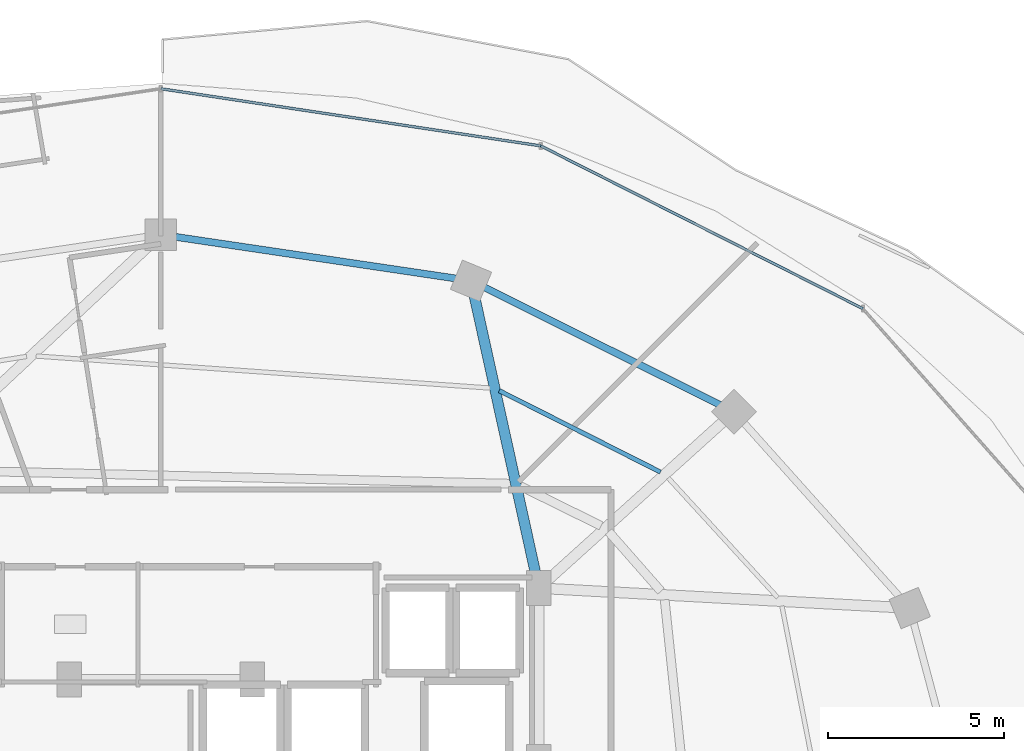
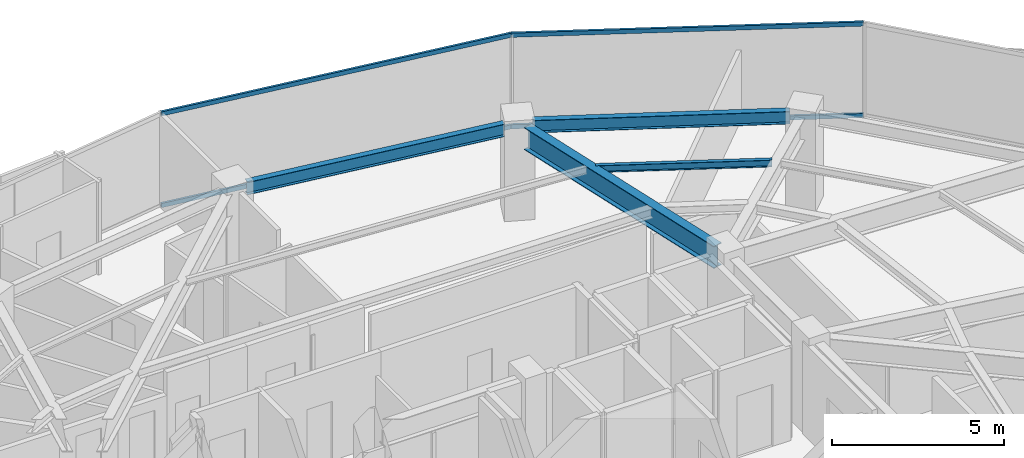
# One storey, part 19 of 32: 4 beams, 4 members, 1 element without a shape of its own.
"""IFC4 building model written with IfcOpenShell, lengths in metres."""

from ifc_helpers import new_model, si_unit, direction, frame, origin, origin_2d, place, context, subcontext, project, spatial, hollow_rectangle, i_section, extrude, material, material_profile, profile_set, type_object, element, aggregate, save


model = new_model("IFC4")

# Units and contexts
model_context = context("Model", 3, precision=1e-05, world=origin(), true_north=direction((0.0, 1.0)))
body_context = subcontext(model_context, "Body", "Model", "MODEL_VIEW")
ifc_project = project(units=[si_unit("LENGTHUNIT", "METRE"), si_unit("AREAUNIT", "SQUARE_METRE"), si_unit("VOLUMEUNIT", "CUBIC_METRE"), si_unit("PLANEANGLEUNIT", "RADIAN"), si_unit("MASSUNIT", "GRAM", prefix="KILO")], contexts=[model_context])

# Site, building, storey
site_placement = place(None, origin())
site = spatial("IfcSite", under=ifc_project, at=site_placement, CompositionType="ELEMENT")
building_placement = place(site_placement, origin())
building = spatial("IfcBuilding", under=site, at=building_placement, Name="Vorneva Point Tower", CompositionType="ELEMENT")
storey_placement = place(building_placement, frame((0.0, 0.0, 207.199951171875)))
storey = spatial("IfcBuildingStorey", under=building, at=storey_placement, Name="L56", CompositionType="ELEMENT", Elevation=207.199951171875)

# Beams
ifc_material_1 = material(Name="Steel S355", Category="steel")
ifc_material_profile_1 = material_profile(ifc_material_1, i_section(OverallWidth=0.300048828125, OverallDepth=0.7880859375, WebThickness=0.014404296875, FlangeThickness=0.02197265625, at=origin_2d()), Name="80Sh1")
ifc_profile_set_1 = profile_set([ifc_material_profile_1], Name="Steel S355")
beam_type_1 = type_object("IfcBeamType", Name="BM-GRD-80Sh1", PredefinedType="USERDEFINED", material=ifc_profile_set_1)
beam_1_placement = place(storey_placement, frame((46.915283203125, 41.462890625, 2.89599609375), z_axis=(0.215522758292, -0.976498817541, 0.0), x_axis=(0.976498817541, 0.215522758292, 0.0)))
element("IfcBeam", 1, at=beam_1_placement, inside=storey, type_object=beam_type_1, Name="L56 Radial Primary Girder 04", ObjectType="GIRDER", PredefinedType="USERDEFINED", context=body_context, shape_type="SweptSolid", body=[
    extrude(i_section(OverallWidth=0.300048828125, OverallDepth=0.7880859375, WebThickness=0.014404296875, FlangeThickness=0.02197265625, at=origin_2d()), origin(), (0.0, 0.0, 1.0), 8.173095703125),
])
ifc_material_profile_2 = material_profile(ifc_material_1, i_section(OverallWidth=0.1240234375, OverallDepth=0.248046875, WebThickness=0.0048828125, FlangeThickness=0.008056640625, at=origin_2d()), Name="25B1")
ifc_profile_set_2 = profile_set([ifc_material_profile_2], Name="Steel S355")
beam_type_2 = type_object("IfcBeamType", Name="BM-JST-25B1", PredefinedType="JOIST", material=ifc_profile_set_2)
beam_2_placement = place(storey_placement, frame((52.2099609375, 36.448974609375, 3.166015625), z_axis=(-0.892634985647, 0.450780192997, 0.0), x_axis=(-0.450780192997, -0.892634985647, 0.0)))
element("IfcBeam", 2, at=beam_2_placement, inside=storey, type_object=beam_type_2, Name="L56 Secondary Floor Beam 1.03", PredefinedType="JOIST", context=body_context, shape_type="SweptSolid", body=[
    extrude(i_section(OverallWidth=0.1240234375, OverallDepth=0.248046875, WebThickness=0.0048828125, FlangeThickness=0.008056640625, at=origin_2d()), origin(), (0.0, 0.0, 1.0), 5.142333984375),
])
ifc_material_profile_3 = material_profile(ifc_material_1, i_section(OverallWidth=0.198974609375, OverallDepth=0.446044921875, WebThickness=0.008056640625, FlangeThickness=0.011962890625, at=origin_2d()), Name="45B1")
ifc_profile_set_3 = profile_set([ifc_material_profile_3], Name="Steel S355")
beam_type_3 = type_object("IfcBeamType", Name="BM-SPN-45B1", PredefinedType="SPANDREL", material=ifc_profile_set_3)
beam_3_placement = place(storey_placement, frame((53.909423828125, 38.356201171875, 3.067138671875), z_axis=(-0.894922371084, 0.446221861559, 0.0), x_axis=(-0.446221861559, -0.894922371084, 0.0)))
element("IfcBeam", 3, at=beam_3_placement, inside=storey, type_object=beam_type_3, Name="L56 Perimeter Spandrel Ring Beam 03", PredefinedType="SPANDREL", context=body_context, shape_type="SweptSolid", body=[
    extrude(i_section(OverallWidth=0.198974609375, OverallDepth=0.446044921875, WebThickness=0.008056640625, FlangeThickness=0.011962890625, at=origin_2d()), origin(), (0.0, 0.0, 1.0), 7.48583984375),
])
beam_4_placement = place(storey_placement, frame((46.390625, 41.95458984375, 3.067138671875), z_axis=(-0.989165476332, 0.146804837907, 0.0), x_axis=(-0.146804837907, -0.989165476332, 0.0)))
element("IfcBeam", 4, at=beam_4_placement, inside=storey, type_object=beam_type_3, Name="L56 Perimeter Spandrel Ring Beam 04", PredefinedType="SPANDREL", context=body_context, shape_type="SweptSolid", body=[
    extrude(i_section(OverallWidth=0.198974609375, OverallDepth=0.446044921875, WebThickness=0.008056640625, FlangeThickness=0.011962890625, at=origin_2d()), origin(), (0.0, 0.0, 1.0), 8.04736328125),
])

# Curtain wall, members
ifc_material_2 = material(Name="Pale anodised aluminium", Category="aluminium")
curtain_wall_type = type_object("IfcCurtainWallType", Name="CW-RES-SYS", PredefinedType="NOTDEFINED", material=ifc_material_2)
curtain_wall_placement = place(storey_placement, origin())
curtain_wall = element("IfcCurtainWall", 5, at=curtain_wall_placement, inside=storey, type_object=curtain_wall_type, Name="L56 Unitised Curtain Wall CW-L56-R01", PredefinedType="NOTDEFINED")
ifc_material_profile_4 = material_profile(ifc_material_2, hollow_rectangle(XDim=0.074951171875, YDim=0.14990234375, WallThickness=0.00390625, at=origin_2d()), Name="AL-TRN 150x75x4")
ifc_profile_set_4 = profile_set([ifc_material_profile_4], Name="Pale anodised aluminium")
member_type = type_object("IfcMemberType", Name="CW-TRN-150", PredefinedType="USERDEFINED", material=ifc_profile_set_4)
member_1_placement = place(storey_placement, frame((57.961669921875, 41.0966796875, 0.02001953125), z_axis=(-0.892510927709, 0.451025768576, 0.0), x_axis=(-0.451025768576, -0.892510927709, 0.0)))
member_1 = element("IfcMember", 6, at=member_1_placement, type_object=member_type, Name="CW-L56-R01 Transom 02.1", ObjectType="TRANSOM", PredefinedType="USERDEFINED", context=body_context, shape_type="SweptSolid", body=[
    extrude(hollow_rectangle(XDim=0.074951171875, YDim=0.14990234375, WallThickness=0.00390625, at=origin_2d()), origin(), (0.0, 0.0, 1.0), 10.261474609375),
])
member_2_placement = place(storey_placement, frame((57.961669921875, 41.0966796875, 3.27001953125), z_axis=(-0.892510927709, 0.451025768576, 0.0), x_axis=(-0.451025768576, -0.892510927709, 0.0)))
member_2 = element("IfcMember", 7, at=member_2_placement, type_object=member_type, Name="CW-L56-R01 Transom 02.2", ObjectType="TRANSOM", PredefinedType="USERDEFINED", context=body_context, shape_type="SweptSolid", body=[
    extrude(hollow_rectangle(XDim=0.074951171875, YDim=0.14990234375, WallThickness=0.00390625, at=origin_2d()), origin(), (0.0, 0.0, 1.0), 10.261474609375),
])
member_3_placement = place(storey_placement, frame((48.80322265625, 45.724853515625, 0.02001953125), z_axis=(-0.988872333273, 0.148766624239, 0.0), x_axis=(-0.148766624239, -0.988872333273, 0.0)))
member_3 = element("IfcMember", 8, at=member_3_placement, type_object=member_type, Name="CW-L56-R01 Transom 03.1", ObjectType="TRANSOM", PredefinedType="USERDEFINED", context=body_context, shape_type="SweptSolid", body=[
    extrude(hollow_rectangle(XDim=0.074951171875, YDim=0.14990234375, WallThickness=0.00390625, at=origin_2d()), origin(), (0.0, 0.0, 1.0), 10.9248046875),
])
member_4_placement = place(storey_placement, frame((48.80322265625, 45.724853515625, 3.27001953125), z_axis=(-0.988872333273, 0.148766624239, 0.0), x_axis=(-0.148766624239, -0.988872333273, 0.0)))
member_4 = element("IfcMember", 9, at=member_4_placement, type_object=member_type, Name="CW-L56-R01 Transom 03.2", ObjectType="TRANSOM", PredefinedType="USERDEFINED", context=body_context, shape_type="SweptSolid", body=[
    extrude(hollow_rectangle(XDim=0.074951171875, YDim=0.14990234375, WallThickness=0.00390625, at=origin_2d()), origin(), (0.0, 0.0, 1.0), 10.9248046875),
])
aggregate(curtain_wall, [member_1, member_2, member_3, member_4])

save(model, "model.ifc")
